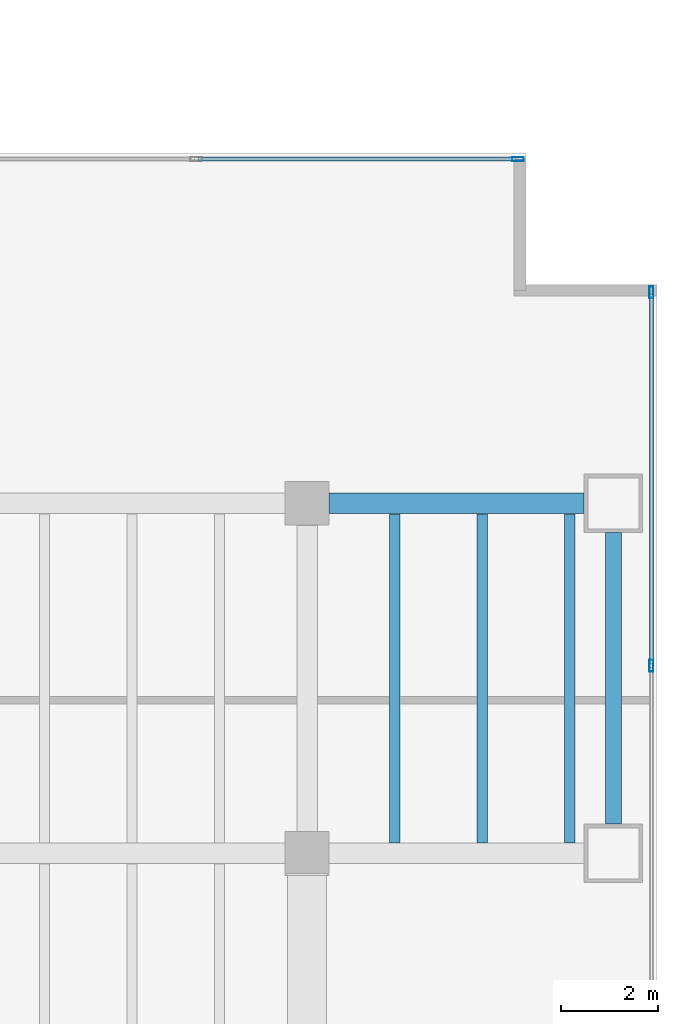
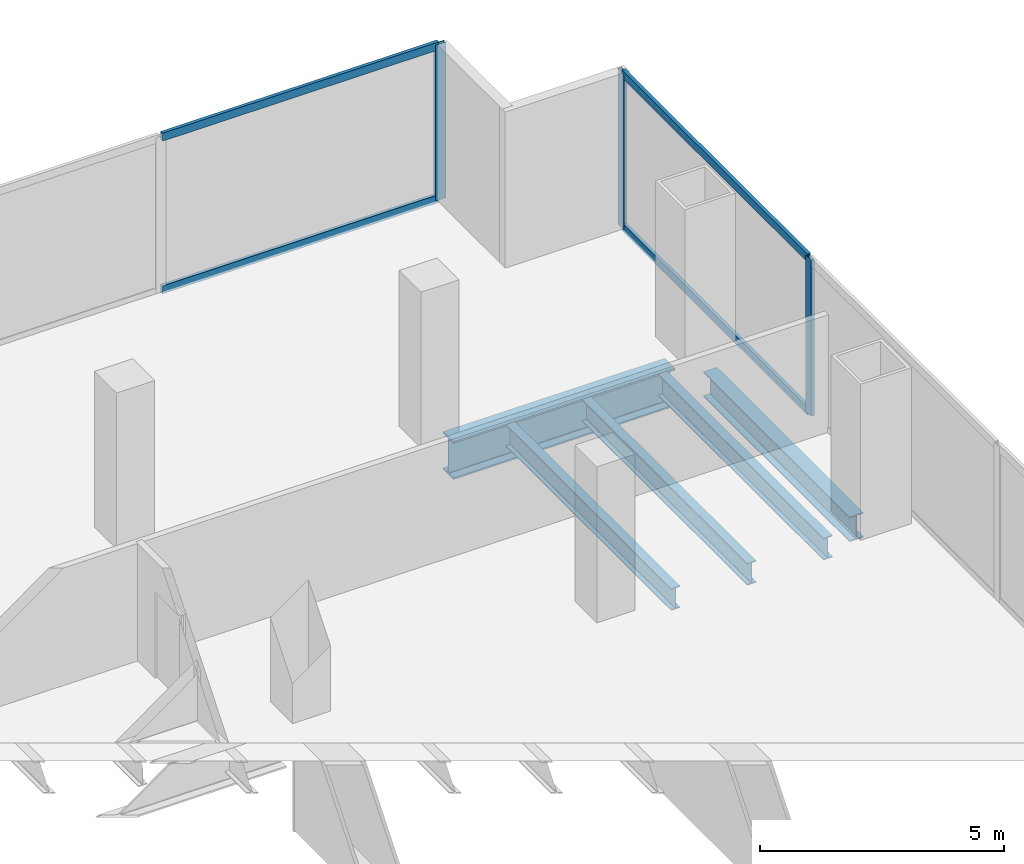
# One storey, part 22 of 34: 7 members, 5 beams, 2 elements without a shape of their own.
"""IFC4 building model written with IfcOpenShell, lengths in metres."""

from ifc_helpers import new_model, si_unit, direction, frame, origin, origin_2d, place, context, subcontext, project, spatial, hollow_rectangle, i_section, extrude, material, material_profile, profile_set, type_object, element, aggregate, save


model = new_model("IFC4")

# Units and contexts
model_context = context("Model", 3, precision=1e-05, world=origin(), true_north=direction((0.0, 1.0)))
body_context = subcontext(model_context, "Body", "Model", "MODEL_VIEW")
ifc_project = project(units=[si_unit("LENGTHUNIT", "METRE"), si_unit("AREAUNIT", "SQUARE_METRE"), si_unit("VOLUMEUNIT", "CUBIC_METRE"), si_unit("PLANEANGLEUNIT", "RADIAN"), si_unit("MASSUNIT", "GRAM", prefix="KILO")], contexts=[model_context])

# Site, building, storey
site_placement = place(None, origin())
site = spatial("IfcSite", under=ifc_project, at=site_placement, CompositionType="ELEMENT")
building_placement = place(site_placement, origin())
building = spatial("IfcBuilding", under=site, at=building_placement, Name="Cobrela Telecom Tower", CompositionType="ELEMENT")
storey_placement = place(building_placement, frame((0.0, 0.0, 5.25)))
storey = spatial("IfcBuildingStorey", under=building, at=storey_placement, Name="L01", CompositionType="ELEMENT", Elevation=5.25)

# Beams
ifc_material_1 = material(Name="Steel ASTM A992 Grade 50", Category="steel")
ifc_material_profile_1 = material_profile(ifc_material_1, i_section(OverallWidth=0.424072265625, OverallDepth=0.947021484375, WebThickness=0.02392578125, FlangeThickness=0.042724609375, FilletRadius=0.02392578125, at=origin_2d()), Name="W36X302")
ifc_profile_set_1 = profile_set([ifc_material_profile_1], Name="Steel ASTM A992 Grade 50")
beam_type_1 = type_object("IfcBeamType", Name="BM-GIRD-01", PredefinedType="USERDEFINED", material=ifc_profile_set_1)
beam_1_placement = place(storey_placement, frame((79.655029296875, 21.60009765625, -0.7734375), z_axis=(1.0, 0.0, 0.0), x_axis=(0.0, 1.0, 0.0)))
element("IfcBeam", 1, at=beam_1_placement, inside=storey, type_object=beam_type_1, Name="L01 Primary Girder X31", ObjectType="GIRDER", PredefinedType="USERDEFINED", context=body_context, shape_type="SweptSolid", body=[
    extrude(i_section(OverallWidth=0.424072265625, OverallDepth=0.947021484375, WebThickness=0.02392578125, FlangeThickness=0.042724609375, FilletRadius=0.02392578125, at=origin_2d()), origin(), (0.0, 0.0, 1.0), 5.239990234375),
])
ifc_material_profile_2 = material_profile(ifc_material_1, i_section(OverallWidth=0.212890625, OverallDepth=0.549072265625, WebThickness=0.0146484375, FlangeThickness=0.023681640625, FilletRadius=0.013916015625, at=origin_2d()), Name="W21X93")
ifc_profile_set_2 = profile_set([ifc_material_profile_2], Name="Steel ASTM A992 Grade 50")
beam_type_2 = type_object("IfcBeamType", Name="BM-JOIST-01", PredefinedType="JOIST", material=ifc_profile_set_2)
for number, where, z_axis, x_axis, name in (
    (2, (81.0, 14.616943359375, -0.574462890625), (0.0, 1.0, 0.0), (-1.0, 0.0, 0.0), "L01 Secondary Composite Floor Beam J118"),
    (3, (82.800048828125, 14.616943359375, -0.574462890625), (0.0, 1.0, 0.0), (-1.0, 0.0, 0.0), "L01 Secondary Composite Floor Beam J119"),
    (4, (84.60009765625, 14.616943359375, -0.574462890625), (0.0, 1.0, 0.0), (-1.0, 0.0, 0.0), "L01 Secondary Composite Floor Beam J120"),
):
    element("IfcBeam", number, at=place(storey_placement, frame(where, z_axis=z_axis, x_axis=x_axis)), inside=storey, type_object=beam_type_2, Name=name, PredefinedType="JOIST", context=body_context, shape_type="SweptSolid", body=[
        extrude(i_section(OverallWidth=0.212890625, OverallDepth=0.549072265625, WebThickness=0.0146484375, FlangeThickness=0.023681640625, FilletRadius=0.013916015625, at=origin_2d()), origin(), (0.0, 0.0, 1.0), 6.76611328125),
    ])
ifc_material_profile_3 = material_profile(ifc_material_1, i_section(OverallWidth=0.327880859375, OverallDepth=0.6220703125, WebThickness=0.015380859375, FlangeThickness=0.0244140625, FilletRadius=0.014892578125, at=origin_2d()), Name="W24X131")
ifc_profile_set_3 = profile_set([ifc_material_profile_3], Name="Steel ASTM A992 Grade 50")
beam_type_3 = type_object("IfcBeamType", Name="BM-SPAND-01", PredefinedType="SPANDREL", material=ifc_profile_set_3)
beam_2_placement = place(storey_placement, frame((85.5, 15.0048828125, -0.611083984375), z_axis=(0.0, 1.0, 0.0), x_axis=(-1.0, 0.0, 0.0)))
element("IfcBeam", 5, at=beam_2_placement, inside=storey, type_object=beam_type_3, Name="L01 Perimeter Spandrel Y82", PredefinedType="SPANDREL", context=body_context, shape_type="SweptSolid", body=[
    extrude(i_section(OverallWidth=0.327880859375, OverallDepth=0.6220703125, WebThickness=0.015380859375, FlangeThickness=0.0244140625, FilletRadius=0.014892578125, at=origin_2d()), origin(), (0.0, 0.0, 1.0), 5.990234375),
])

# Curtain wall, member
ifc_material_2 = material(Name="Anodized Bronze Aluminium 6063-T6", Category="aluminium")
curtain_wall_type = type_object("IfcCurtainWallType", Name="CW-SYS-CONC", PredefinedType="USERDEFINED", material=ifc_material_2)
curtain_wall_1_placement = place(storey_placement, origin())
curtain_wall_1 = element("IfcCurtainWall", 6, at=curtain_wall_1_placement, inside=storey, type_object=curtain_wall_type, Name="L01 Unitised Bronze Curtain Wall 11", ObjectType="UNITISED CURTAIN WALL", PredefinedType="USERDEFINED")
ifc_material_profile_4 = material_profile(ifc_material_2, hollow_rectangle(XDim=0.080078125, YDim=0.239990234375, WallThickness=0.0048828125, at=origin_2d()), Name="ALU 80x240x5")
ifc_profile_set_4 = profile_set([ifc_material_profile_4], Name="Anodized Bronze Aluminium 6063-T6")
member_type_1 = type_object("IfcMemberType", Name="CW-SYS-CONC-MUL", PredefinedType="MULLION", material=ifc_profile_set_4)
member_1_placement = place(storey_placement, frame((83.5400390625, 28.679931640625, 0.0), z_axis=(0.0, 0.0, 1.0), x_axis=(0.0, 1.0, 0.0)))
member_1 = element("IfcMember", 7, at=member_1_placement, type_object=member_type_1, Name="CW-CONC mullion 6", PredefinedType="MULLION", context=body_context, shape_type="SweptSolid", body=[
    extrude(hollow_rectangle(XDim=0.080078125, YDim=0.239990234375, WallThickness=0.0048828125, at=origin_2d()), origin(), (0.0, 0.0, 1.0), 3.89990234375),
])

# Curtain wall, members
curtain_wall_2_placement = place(storey_placement, origin())
curtain_wall_2 = element("IfcCurtainWall", 8, at=curtain_wall_2_placement, inside=storey, type_object=curtain_wall_type, Name="L01 Unitised Bronze Curtain Wall 14", ObjectType="UNITISED CURTAIN WALL", PredefinedType="USERDEFINED")
member_2_placement = place(storey_placement, frame((86.280029296875, 25.93994140625, 0.0), z_axis=(0.0, 0.0, 1.0), x_axis=(1.0, 0.0, 0.0)))
member_2 = element("IfcMember", 9, at=member_2_placement, type_object=member_type_1, Name="CW-CONC mullion 1", PredefinedType="MULLION", context=body_context, shape_type="SweptSolid", body=[
    extrude(hollow_rectangle(XDim=0.080078125, YDim=0.239990234375, WallThickness=0.0048828125, at=origin_2d()), origin(), (0.0, 0.0, 1.0), 3.89990234375),
])
member_3_placement = place(storey_placement, frame((86.280029296875, 18.260009765625, 0.0), z_axis=(0.0, 0.0, 1.0), x_axis=(1.0, 0.0, 0.0)))
member_3 = element("IfcMember", 10, at=member_3_placement, type_object=member_type_1, Name="CW-CONC mullion 2", PredefinedType="MULLION", context=body_context, shape_type="SweptSolid", body=[
    extrude(hollow_rectangle(XDim=0.080078125, YDim=0.239990234375, WallThickness=0.0048828125, at=origin_2d()), origin(), (0.0, 0.0, 1.0), 3.89990234375),
])

# Member
ifc_material_profile_5 = material_profile(ifc_material_2, hollow_rectangle(XDim=0.080078125, YDim=0.199951171875, WallThickness=0.00390625, at=origin_2d()), Name="ALU 80x200x4")
ifc_profile_set_5 = profile_set([ifc_material_profile_5], Name="Anodized Bronze Aluminium 6063-T6")
member_type_2 = type_object("IfcMemberType", Name="CW-SYS-CONC-TRN", PredefinedType="USERDEFINED", material=ifc_profile_set_5)
member_4_placement = place(storey_placement, frame((76.9599609375, 28.679931640625, 0.0400390625), z_axis=(1.0, 0.0, 0.0), x_axis=(0.0, 1.0, 0.0)))
member_4 = element("IfcMember", 11, at=member_4_placement, type_object=member_type_2, Name="CW-CONC transom 5.1", ObjectType="TRANSOM", PredefinedType="USERDEFINED", context=body_context, shape_type="SweptSolid", body=[
    extrude(hollow_rectangle(XDim=0.080078125, YDim=0.199951171875, WallThickness=0.00390625, at=origin_2d()), origin(), (0.0, 0.0, 1.0), 6.5400390625),
])

member_5_placement = place(storey_placement, frame((76.9599609375, 28.679931640625, 3.860107421875), z_axis=(1.0, 0.0, 0.0), x_axis=(0.0, 1.0, 0.0)))
member_5 = element("IfcMember", 12, at=member_5_placement, type_object=member_type_2, Name="CW-CONC transom 5.2", ObjectType="TRANSOM", PredefinedType="USERDEFINED", context=body_context, shape_type="SweptSolid", body=[
    extrude(hollow_rectangle(XDim=0.080078125, YDim=0.199951171875, WallThickness=0.00390625, at=origin_2d()), origin(), (0.0, 0.0, 1.0), 6.5400390625),
])

aggregate(curtain_wall_1, [member_1, member_4, member_5])

member_6_placement = place(storey_placement, frame((86.280029296875, 25.89990234375, 0.0400390625), z_axis=(0.0, -1.0, 0.0), x_axis=(1.0, 0.0, 0.0)))
member_6 = element("IfcMember", 13, at=member_6_placement, type_object=member_type_2, Name="CW-CONC transom 1.1", ObjectType="TRANSOM", PredefinedType="USERDEFINED", context=body_context, shape_type="SweptSolid", body=[
    extrude(hollow_rectangle(XDim=0.080078125, YDim=0.199951171875, WallThickness=0.00390625, at=origin_2d()), origin(), (0.0, 0.0, 1.0), 7.599853515625),
])

member_7_placement = place(storey_placement, frame((86.280029296875, 25.89990234375, 3.860107421875), z_axis=(0.0, -1.0, 0.0), x_axis=(1.0, 0.0, 0.0)))
member_7 = element("IfcMember", 14, at=member_7_placement, type_object=member_type_2, Name="CW-CONC transom 1.2", ObjectType="TRANSOM", PredefinedType="USERDEFINED", context=body_context, shape_type="SweptSolid", body=[
    extrude(hollow_rectangle(XDim=0.080078125, YDim=0.199951171875, WallThickness=0.00390625, at=origin_2d()), origin(), (0.0, 0.0, 1.0), 7.599853515625),
])

aggregate(curtain_wall_2, [member_2, member_3, member_6, member_7])

save(model, "model.ifc")
